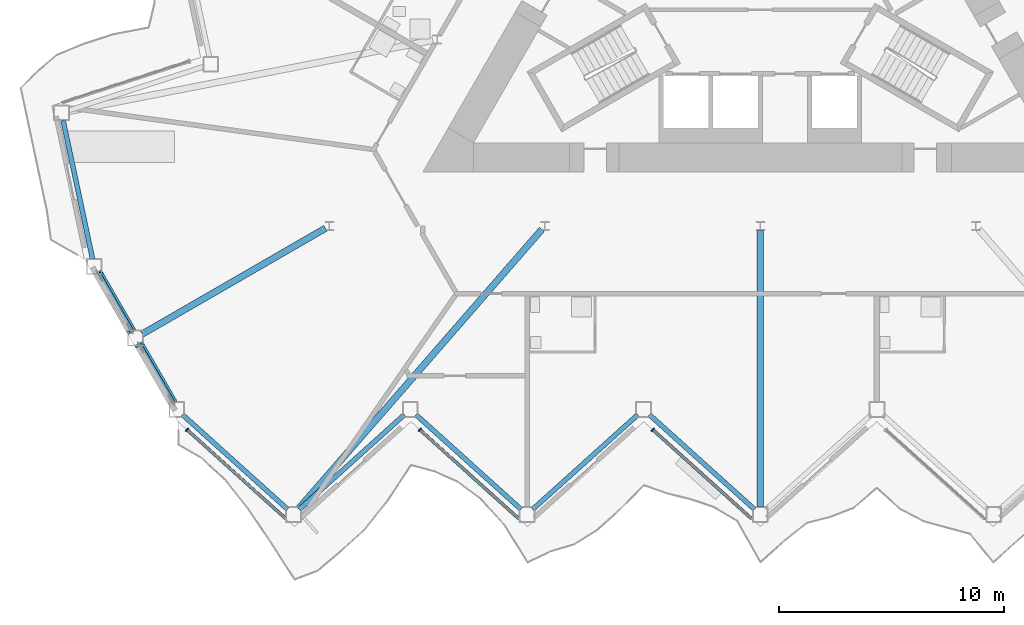
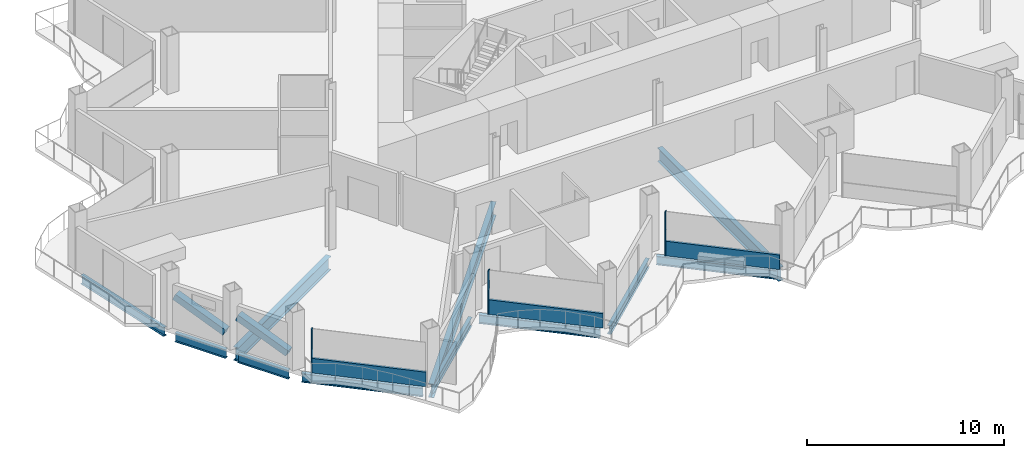
# One storey, part 4 of 23: 11 beams, 8 members, 3 elements without a shape of their own.
"""IFC4 building model written with IfcOpenShell, lengths in metres."""

from ifc_helpers import new_model, si_unit, direction, frame, origin, origin_2d, place, context, subcontext, project, spatial, rectangle, hollow_rectangle, i_section, extrude, material, layer, layer_set, material_profile, profile_set, type_object, element, aggregate, save


model = new_model("IFC4")

# Units and contexts
model_context = context("Model", 3, precision=1e-05, world=origin(), true_north=direction((0.0, 1.0)))
body_context = subcontext(model_context, "Body", "Model", "MODEL_VIEW")
ifc_project = project(units=[si_unit("LENGTHUNIT", "METRE"), si_unit("AREAUNIT", "SQUARE_METRE"), si_unit("VOLUMEUNIT", "CUBIC_METRE"), si_unit("PLANEANGLEUNIT", "RADIAN"), si_unit("MASSUNIT", "GRAM", prefix="KILO")], contexts=[model_context])

# Site, building, storey
site_placement = place(None, origin())
site = spatial("IfcSite", under=ifc_project, at=site_placement, CompositionType="ELEMENT")
building_placement = place(site_placement, origin())
building = spatial("IfcBuilding", under=site, at=building_placement, Name="Cormorant Prow Tower", CompositionType="ELEMENT")
storey_placement = place(building_placement, frame((0.0, 0.0, 245.39990234375)))
storey = spatial("IfcBuildingStorey", under=building, at=storey_placement, Name="L54", CompositionType="ELEMENT", Elevation=245.39990234375)

# Members
ifc_material_1 = material(Name="Structural steel ASTM A500 Gr C", Category="steel")
ifc_material_profile_1 = material_profile(ifc_material_1, hollow_rectangle(XDim=0.406494140625, YDim=0.406494140625, WallThickness=0.01171875, at=origin_2d()), Name="HSS16x16x1/2")
ifc_profile_set_1 = profile_set([ifc_material_profile_1], Name="Structural steel ASTM A500 Gr C")
member_type_1 = type_object("IfcMemberType", Name="Chamfer brace HSS16x16x1/2", PredefinedType="BRACE", material=ifc_profile_set_1)
for number, where, z_axis, x_axis, name in (
    (1, (-27.959228515625, -15.719970703125, 0.74951171875), (-0.462773096913, 0.801606962687, 0.378506721399), (-0.866041729639, -0.499971721724, 0.0), "Chamfer brace BR2 at WSW00 L54"),
    (2, (-26.1240234375, -18.898681640625, 0.74951171875), (-0.462773096913, 0.801606962687, 0.378506721399), (-0.866041729639, -0.499971721724, 0.0), "Chamfer brace BR2 at WSW01 L54"),
):
    element("IfcMember", number, at=place(storey_placement, frame(where, z_axis=z_axis, x_axis=x_axis)), inside=storey, type_object=member_type_1, Name=name, PredefinedType="BRACE", context=body_context, shape_type="SweptSolid", body=[
        extrude(hollow_rectangle(XDim=0.406494140625, YDim=0.406494140625, WallThickness=0.01171875, at=origin_2d()), origin(), (0.0, 0.0, 1.0), 3.17529296875),
    ])

# Curtain wall, member
ifc_material_2 = material(Name="Aluminium 6063-T6", Category="aluminium")
ifc_layer = layer(ifc_material_2, 0.179931640625)
ifc_layer_set = layer_set([ifc_layer], Name="Aluminium 6063-T6")
curtain_wall_type = type_object("IfcCurtainWallType", Name="Hotel unitised curtain wall 180", PredefinedType="NOTDEFINED", material=ifc_layer_set)
curtain_wall_1_placement = place(storey_placement, origin())
curtain_wall_1 = element("IfcCurtainWall", 3, at=curtain_wall_1_placement, inside=storey, type_object=curtain_wall_type, Name="Hotel curtain wall S00", PredefinedType="NOTDEFINED")
ifc_material_3 = material(Name="Aluminium 6063-T6", Category="aluminium")
ifc_material_profile_2 = material_profile(ifc_material_3, rectangle(XDim=0.179931640625, YDim=0.06005859375, at=origin_2d()), Name="Hotel mullion 60x180")
ifc_profile_set_2 = profile_set([ifc_material_profile_2], Name="Aluminium 6063-T6")
member_type_2 = type_object("IfcMemberType", Name="Hotel mullion 60x180", PredefinedType="MULLION", material=ifc_profile_set_2)
member_1_placement = place(storey_placement, frame((-25.48388671875, -20.113525390625, 0.0), z_axis=(0.0, 0.0, 1.0), x_axis=(0.669130621132, 0.743144812176, 0.0)))
member_1 = element("IfcMember", 4, at=member_1_placement, type_object=member_type_2, Name="Hotel mullion S00", PredefinedType="MULLION", context=body_context, shape_type="SweptSolid", body=[
    extrude(rectangle(XDim=0.179931640625, YDim=0.06005859375, at=origin_2d()), origin(), (0.0, 0.0, 1.0), 2.700927734375),
])

curtain_wall_2_placement = place(storey_placement, origin())
curtain_wall_2 = element("IfcCurtainWall", 5, at=curtain_wall_2_placement, inside=storey, type_object=curtain_wall_type, Name="Hotel curtain wall S02", PredefinedType="NOTDEFINED")
member_2_placement = place(storey_placement, frame((-15.132568359375, -20.113525390625, 0.0), z_axis=(0.0, 0.0, 1.0), x_axis=(0.66913054973, 0.743144876466, 0.0)))
member_2 = element("IfcMember", 6, at=member_2_placement, type_object=member_type_2, Name="Hotel mullion S02", PredefinedType="MULLION", context=body_context, shape_type="SweptSolid", body=[
    extrude(rectangle(XDim=0.179931640625, YDim=0.06005859375, at=origin_2d()), origin(), (0.0, 0.0, 1.0), 2.700927734375),
])

curtain_wall_3_placement = place(storey_placement, origin())
curtain_wall_3 = element("IfcCurtainWall", 7, at=curtain_wall_3_placement, inside=storey, type_object=curtain_wall_type, Name="Hotel curtain wall S04", PredefinedType="NOTDEFINED")
member_3_placement = place(storey_placement, frame((-4.781005859375, -20.113525390625, 0.0), z_axis=(0.0, 0.0, 1.0), x_axis=(0.669130621132, 0.743144812176, 0.0)))
member_3 = element("IfcMember", 8, at=member_3_placement, type_object=member_type_2, Name="Hotel mullion S04", PredefinedType="MULLION", context=body_context, shape_type="SweptSolid", body=[
    extrude(rectangle(XDim=0.179931640625, YDim=0.06005859375, at=origin_2d()), origin(), (0.0, 0.0, 1.0), 2.700927734375),
])

# Member
ifc_material_4 = material(Name="Terracotta", Category="masonry")
ifc_material_profile_3 = material_profile(ifc_material_4, rectangle(XDim=0.139892578125, YDim=0.89990234375, at=origin_2d()), Name="Hotel terracotta spandrel rail 140x900")
ifc_profile_set_3 = profile_set([ifc_material_profile_3], Name="Terracotta")
member_type_3 = type_object("IfcMemberType", Name="Hotel terracotta spandrel rail 140x900", PredefinedType="USERDEFINED", material=ifc_profile_set_3)
member_4_placement = place(storey_placement, frame((-25.461669921875, -20.133544921875, 0.4501953125), z_axis=(0.743135764778, -0.669140669148, 0.0), x_axis=(0.669140669148, 0.743135764778, 0.0)))
member_4 = element("IfcMember", 9, at=member_4_placement, type_object=member_type_3, Name="Hotel spandrel rail S00", ObjectType="TRANSOM", PredefinedType="USERDEFINED", context=body_context, shape_type="SweptSolid", body=[
    extrude(rectangle(XDim=0.139892578125, YDim=0.89990234375, at=origin_2d()), origin(), (0.0, 0.0, 1.0), 5.902587890625),
])

aggregate(curtain_wall_1, [member_1, member_4])

member_5_placement = place(storey_placement, frame((-15.110107421875, -20.133544921875, 0.4501953125), z_axis=(0.743135764778, -0.669140669148, 0.0), x_axis=(0.669140669148, 0.743135764778, 0.0)))
member_5 = element("IfcMember", 10, at=member_5_placement, type_object=member_type_3, Name="Hotel spandrel rail S02", ObjectType="TRANSOM", PredefinedType="USERDEFINED", context=body_context, shape_type="SweptSolid", body=[
    extrude(rectangle(XDim=0.139892578125, YDim=0.89990234375, at=origin_2d()), origin(), (0.0, 0.0, 1.0), 5.902587890625),
])

aggregate(curtain_wall_2, [member_2, member_5])

member_6_placement = place(storey_placement, frame((-4.7587890625, -20.133544921875, 0.4501953125), z_axis=(0.743135764778, -0.669140669148, 0.0), x_axis=(0.669140669148, 0.743135764778, 0.0)))
member_6 = element("IfcMember", 11, at=member_6_placement, type_object=member_type_3, Name="Hotel spandrel rail S04", ObjectType="TRANSOM", PredefinedType="USERDEFINED", context=body_context, shape_type="SweptSolid", body=[
    extrude(rectangle(XDim=0.139892578125, YDim=0.89990234375, at=origin_2d()), origin(), (0.0, 0.0, 1.0), 5.902587890625),
])

aggregate(curtain_wall_3, [member_3, member_6])

# Beams
ifc_material_5 = material(Name="Structural steel ASTM A992 Gr 50", Category="steel")
ifc_material_profile_4 = material_profile(ifc_material_5, i_section(OverallWidth=0.29296875, OverallDepth=0.845703125, WebThickness=0.015380859375, FlangeThickness=0.0244140625, at=origin_2d()), Name="W33x141")
ifc_profile_set_4 = profile_set([ifc_material_profile_4], Name="Structural steel ASTM A992 Gr 50")
beam_type_1 = type_object("IfcBeamType", Name="Radial floor beam W33x141", PredefinedType="BEAM", material=ifc_profile_set_4)
beam_1_placement = place(storey_placement, frame((-19.32958984375, -11.159912109375, -0.772705078125), z_axis=(-0.866021726843, -0.500006368596, 0.0), x_axis=(0.500006368596, -0.866021726843, 0.0)))
element("IfcBeam", 12, at=beam_1_placement, inside=storey, type_object=beam_type_1, Name="Radial floor beam FB2 5 L54", PredefinedType="BEAM", context=body_context, shape_type="SweptSolid", body=[
    extrude(i_section(OverallWidth=0.29296875, OverallDepth=0.845703125, WebThickness=0.015380859375, FlangeThickness=0.0244140625, at=origin_2d()), origin(), (0.0, 0.0, 1.0), 9.40380859375),
])
beam_2_placement = place(storey_placement, frame((-9.70947265625, -11.210693359375, -0.772705078125), z_axis=(-0.656874593387, -0.753999846527, 0.0), x_axis=(0.753999846527, -0.656874593387, 0.0)))
element("IfcBeam", 13, at=beam_2_placement, inside=storey, type_object=beam_type_1, Name="Radial floor beam FB2 6 L54", PredefinedType="BEAM", context=body_context, shape_type="SweptSolid", body=[
    extrude(i_section(OverallWidth=0.29296875, OverallDepth=0.845703125, WebThickness=0.015380859375, FlangeThickness=0.0244140625, at=origin_2d()), origin(), (0.0, 0.0, 1.0), 16.4619140625),
])
beam_3_placement = place(storey_placement, frame((0.0, -11.259765625, -0.772705078125), z_axis=(0.0, -1.0, 0.0), x_axis=(1.0, 0.0, 0.0)))
element("IfcBeam", 14, at=beam_3_placement, inside=storey, type_object=beam_type_1, Name="Radial floor beam FB2 7 L54", PredefinedType="BEAM", context=body_context, shape_type="SweptSolid", body=[
    extrude(i_section(OverallWidth=0.29296875, OverallDepth=0.845703125, WebThickness=0.015380859375, FlangeThickness=0.0244140625, at=origin_2d()), origin(), (0.0, 0.0, 1.0), 12.277099609375),
])
ifc_material_6 = material(Name="Structural steel ASTM A992 Gr 50", Category="steel")
ifc_material_profile_5 = material_profile(ifc_material_6, i_section(OverallWidth=0.2138671875, OverallDepth=0.549072265625, WebThickness=0.0146484375, FlangeThickness=0.023681640625, at=origin_2d()), Name="W21x93")
ifc_profile_set_5 = profile_set([ifc_material_profile_5], Name="Structural steel ASTM A992 Gr 50")
beam_type_2 = type_object("IfcBeamType", Name="Spandrel beam W21x93", PredefinedType="SPANDREL", material=ifc_profile_set_5)
for number, where, z_axis, x_axis, name in (
    (15, (-25.68115234375, -19.44970703125, -0.62451171875), (0.743156918576, -0.669117175368, 0.0), (0.669117175368, 0.743156918576, 0.0), "Spandrel beam SB2 S00-S01 L54"),
    (16, (-20.492919921875, -23.65283203125, -0.62451171875), (0.743156918576, 0.669117175368, 0.0), (-0.669117175368, 0.743156918576, 0.0), "Spandrel beam SB2 S01-S02 L54"),
    (17, (-15.3046875, -19.44970703125, -0.62451171875), (0.743156918576, -0.669117175368, 0.0), (0.669117175368, 0.743156918576, 0.0), "Spandrel beam SB2 S02-S03 L54"),
    (18, (-10.116455078125, -23.65283203125, -0.62451171875), (0.743156918576, 0.669117175368, 0.0), (-0.669117175368, 0.743156918576, 0.0), "Spandrel beam SB2 S03-S04 L54"),
    (19, (-4.92822265625, -19.44970703125, -0.62451171875), (0.743156918576, -0.669117175368, 0.0), (0.669117175368, 0.743156918576, 0.0), "Spandrel beam SB2 S04-S05 L54"),
):
    element("IfcBeam", number, at=place(storey_placement, frame(where, z_axis=z_axis, x_axis=x_axis)), inside=storey, type_object=beam_type_2, Name=name, PredefinedType="SPANDREL", context=body_context, shape_type="SweptSolid", body=[
        extrude(i_section(OverallWidth=0.2138671875, OverallDepth=0.549072265625, WebThickness=0.0146484375, FlangeThickness=0.023681640625, at=origin_2d()), origin(), (0.0, 0.0, 1.0), 6.281494140625),
    ])
beam_4_placement = place(storey_placement, frame((-30.990478515625, -6.37158203125, -0.62451171875), z_axis=(0.207941499013, -0.978141264331, 0.0), x_axis=(0.978141264331, 0.207941499013, 0.0)))
element("IfcBeam", 20, at=beam_4_placement, inside=storey, type_object=beam_type_2, Name="Spandrel beam SB2 WNW09-WSW00 L54", PredefinedType="SPANDREL", context=body_context, shape_type="SweptSolid", body=[
    extrude(i_section(OverallWidth=0.2138671875, OverallDepth=0.549072265625, WebThickness=0.0146484375, FlangeThickness=0.023681640625, at=origin_2d()), origin(), (0.0, 0.0, 1.0), 6.28125),
])
for number, where, z_axis, x_axis, name in (
    (21, (-29.4365234375, -13.1611328125, -0.62451171875), (0.499966725515, -0.866044613965, 0.0), (0.866044613965, 0.499966725515, 0.0), "Spandrel beam SB2 WSW00-WSW01 L54"),
    (22, (-27.601318359375, -16.33984375, -0.62451171875), (0.499966725515, -0.866044613965, 0.0), (0.866044613965, 0.499966725515, 0.0), "Spandrel beam SB2 WSW01-S00 L54"),
):
    element("IfcBeam", number, at=place(storey_placement, frame(where, z_axis=z_axis, x_axis=x_axis)), inside=storey, type_object=beam_type_2, Name=name, PredefinedType="SPANDREL", context=body_context, shape_type="SweptSolid", body=[
        extrude(i_section(OverallWidth=0.2138671875, OverallDepth=0.549072265625, WebThickness=0.0146484375, FlangeThickness=0.023681640625, at=origin_2d()), origin(), (0.0, 0.0, 1.0), 2.970458984375),
    ])

save(model, "model.ifc")
